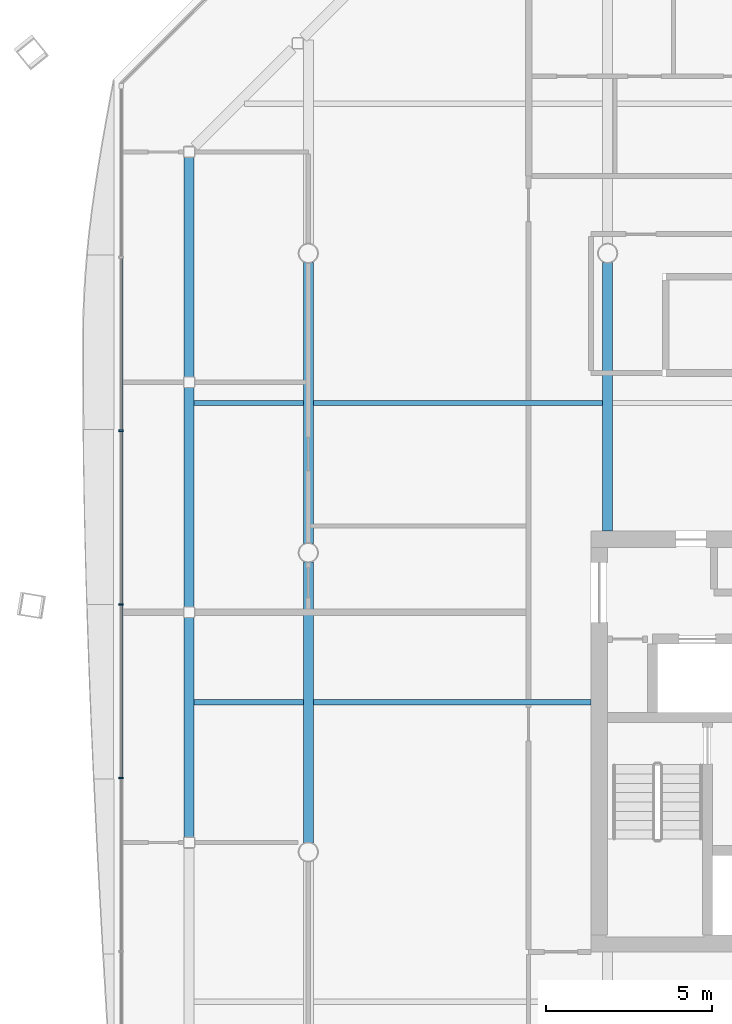
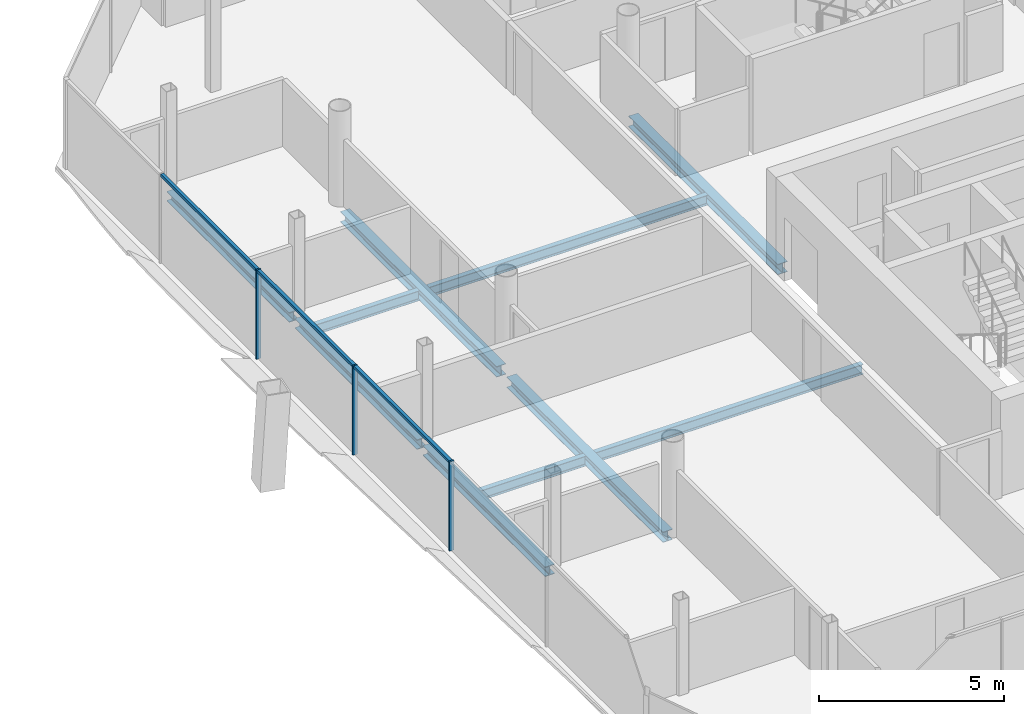
# One storey, part 6 of 20: 10 beams, 6 members, 1 element without a shape of its own.
"""IFC4 building model written with IfcOpenShell, lengths in metres."""

from ifc_helpers import new_model, si_unit, direction, frame, origin, origin_2d, place, context, subcontext, project, spatial, rectangle, i_section, extrude, material, material_profile, profile_set, type_object, element, aggregate, save


model = new_model("IFC4")

# Units and contexts
model_context = context("Model", 3, precision=1e-05, world=origin(), true_north=direction((0.0, 1.0)))
body_context = subcontext(model_context, "Body", "Model", "MODEL_VIEW")
ifc_project = project(units=[si_unit("LENGTHUNIT", "METRE"), si_unit("AREAUNIT", "SQUARE_METRE"), si_unit("VOLUMEUNIT", "CUBIC_METRE"), si_unit("PLANEANGLEUNIT", "RADIAN"), si_unit("MASSUNIT", "GRAM", prefix="KILO")], contexts=[model_context])

# Site, building, storey
site_placement = place(None, origin())
site = spatial("IfcSite", under=ifc_project, at=site_placement, CompositionType="ELEMENT")
building_placement = place(site_placement, origin())
building = spatial("IfcBuilding", under=site, at=building_placement, Name="Tskaro Facet Tower", CompositionType="ELEMENT")
storey_placement = place(building_placement, frame((0.0, 0.0, 187.949951171875)))
storey = spatial("IfcBuildingStorey", under=building, at=storey_placement, Name="L47", CompositionType="ELEMENT", Elevation=187.949951171875)

# Curtain wall, members
ifc_material_1 = material(Name="Bronze anodised aluminium 6063-T6", Category="aluminium")
curtain_wall_type = type_object("IfcCurtainWallType", Name="Bronze residence curtain wall (FW3)", PredefinedType="NOTDEFINED", material=ifc_material_1)
curtain_wall_placement = place(storey_placement, origin())
curtain_wall = element("IfcCurtainWall", 1, at=curtain_wall_placement, inside=storey, type_object=curtain_wall_type, Name="FW3 west facet L47", PredefinedType="NOTDEFINED")
ifc_material_profile_1 = material_profile(ifc_material_1, rectangle(XDim=0.050048828125, YDim=0.139892578125, at=origin_2d()), Name="Mullion 50x140")
ifc_profile_set_1 = profile_set([ifc_material_profile_1], Name="Bronze anodised aluminium 6063-T6")
member_type_1 = type_object("IfcMemberType", Name="FW3 bronze mullion 50x140", PredefinedType="MULLION", material=ifc_profile_set_1)
member_1_placement = place(storey_placement, frame((-23.6279296875, 3.66357421875, 0.0), z_axis=(0.0, 0.0, 1.0), x_axis=(0.0, -1.0, 0.0)))
member_1 = element("IfcMember", 2, at=member_1_placement, type_object=member_type_1, Name="FW3 west mullion 2", PredefinedType="MULLION", context=body_context, shape_type="SweptSolid", body=[
    extrude(rectangle(XDim=0.050048828125, YDim=0.139892578125, at=origin_2d()), origin(), (0.0, 0.0, 1.0), 2.949951171875),
])
member_2_placement = place(storey_placement, frame((-23.6279296875, -1.554443359375, 0.0), z_axis=(0.0, 0.0, 1.0), x_axis=(0.0, -1.0, 0.0)))
member_2 = element("IfcMember", 3, at=member_2_placement, type_object=member_type_1, Name="FW3 west mullion 3", PredefinedType="MULLION", context=body_context, shape_type="SweptSolid", body=[
    extrude(rectangle(XDim=0.050048828125, YDim=0.139892578125, at=origin_2d()), origin(), (0.0, 0.0, 1.0), 2.949951171875),
])
member_3_placement = place(storey_placement, frame((-23.6279296875, -6.772705078125, 0.0), z_axis=(0.0, 0.0, 1.0), x_axis=(0.0, -1.0, 0.0)))
member_3 = element("IfcMember", 4, at=member_3_placement, type_object=member_type_1, Name="FW3 west mullion 4", PredefinedType="MULLION", context=body_context, shape_type="SweptSolid", body=[
    extrude(rectangle(XDim=0.050048828125, YDim=0.139892578125, at=origin_2d()), origin(), (0.0, 0.0, 1.0), 2.949951171875),
])
ifc_material_profile_2 = material_profile(ifc_material_1, rectangle(XDim=0.10009765625, YDim=0.090087890625, at=origin_2d()), Name="Transom 100x90")
ifc_profile_set_2 = profile_set([ifc_material_profile_2], Name="Bronze anodised aluminium 6063-T6")
member_type_2 = type_object("IfcMemberType", Name="FW3 bronze transom 100x90", PredefinedType="USERDEFINED", material=ifc_profile_set_2)
member_4_placement = place(storey_placement, frame((-23.6279296875, 8.85693359375, 2.905029296875), z_axis=(0.0, -1.0, 0.0), x_axis=(1.0, 0.0, 0.0)))
member_4 = element("IfcMember", 5, at=member_4_placement, type_object=member_type_2, Name="FW3 west transom 2.1", ObjectType="TRANSOM", PredefinedType="USERDEFINED", context=body_context, shape_type="SweptSolid", body=[
    extrude(rectangle(XDim=0.10009765625, YDim=0.090087890625, at=origin_2d()), origin(), (0.0, 0.0, 1.0), 5.168212890625),
])
member_5_placement = place(storey_placement, frame((-23.6279296875, 3.638671875, 2.905029296875), z_axis=(0.0, -1.0, 0.0), x_axis=(1.0, 0.0, 0.0)))
member_5 = element("IfcMember", 6, at=member_5_placement, type_object=member_type_2, Name="FW3 west transom 3.1", ObjectType="TRANSOM", PredefinedType="USERDEFINED", context=body_context, shape_type="SweptSolid", body=[
    extrude(rectangle(XDim=0.10009765625, YDim=0.090087890625, at=origin_2d()), origin(), (0.0, 0.0, 1.0), 5.168212890625),
])
member_6_placement = place(storey_placement, frame((-23.6279296875, -1.57958984375, 2.905029296875), z_axis=(0.0, -1.0, 0.0), x_axis=(1.0, 0.0, 0.0)))
member_6 = element("IfcMember", 7, at=member_6_placement, type_object=member_type_2, Name="FW3 west transom 4.1", ObjectType="TRANSOM", PredefinedType="USERDEFINED", context=body_context, shape_type="SweptSolid", body=[
    extrude(rectangle(XDim=0.10009765625, YDim=0.090087890625, at=origin_2d()), origin(), (0.0, 0.0, 1.0), 5.16796875),
])
aggregate(curtain_wall, [member_1, member_2, member_3, member_4, member_5, member_6])

# Beams
ifc_material_2 = material(Name="Steel S355J2", Category="steel")
ifc_material_profile_3 = material_profile(ifc_material_2, i_section(OverallWidth=0.300048828125, OverallDepth=0.320068359375, WebThickness=0.011474609375, FlangeThickness=0.0205078125, FilletRadius=0.027099609375, at=origin_2d()), Name="HE 320 B")
ifc_profile_set_3 = profile_set([ifc_material_profile_3], Name="Steel S355J2")
beam_type_1 = type_object("IfcBeamType", Name="HE 320 B ring beam", PredefinedType="BEAM", material=ifc_profile_set_3)
beam_1_placement = place(storey_placement, frame((-21.5830078125, 11.89111328125, -0.300048828125), z_axis=(0.0, -1.0, 0.0), x_axis=(1.0, 0.0, 0.0)))
element("IfcBeam", 8, at=beam_1_placement, inside=storey, type_object=beam_type_1, Name="HE 320 B EB17-4", PredefinedType="BEAM", context=body_context, shape_type="SweptSolid", body=[
    extrude(i_section(OverallWidth=0.300048828125, OverallDepth=0.320068359375, WebThickness=0.011474609375, FlangeThickness=0.0205078125, FilletRadius=0.027099609375, at=origin_2d()), origin(), (0.0, 0.0, 1.0), 6.610107421875),
])
beam_2_placement = place(storey_placement, frame((-21.5830078125, 4.970947265625, -0.300048828125), z_axis=(0.0, -1.0, 0.0), x_axis=(1.0, 0.0, 0.0)))
element("IfcBeam", 9, at=beam_2_placement, inside=storey, type_object=beam_type_1, Name="HE 320 B EB18-4", PredefinedType="BEAM", context=body_context, shape_type="SweptSolid", body=[
    extrude(i_section(OverallWidth=0.300048828125, OverallDepth=0.320068359375, WebThickness=0.011474609375, FlangeThickness=0.0205078125, FilletRadius=0.027099609375, at=origin_2d()), origin(), (0.0, 0.0, 1.0), 6.60888671875),
])
beam_3_placement = place(storey_placement, frame((-21.5830078125, -1.947998046875, -0.300048828125), z_axis=(0.0, -1.0, 0.0), x_axis=(1.0, 0.0, 0.0)))
element("IfcBeam", 10, at=beam_3_placement, inside=storey, type_object=beam_type_1, Name="HE 320 B EB19-4", PredefinedType="BEAM", context=body_context, shape_type="SweptSolid", body=[
    extrude(i_section(OverallWidth=0.300048828125, OverallDepth=0.320068359375, WebThickness=0.011474609375, FlangeThickness=0.0205078125, FilletRadius=0.027099609375, at=origin_2d()), origin(), (0.0, 0.0, 1.0), 6.610107421875),
])
ifc_material_profile_4 = material_profile(ifc_material_2, i_section(OverallWidth=0.300048828125, OverallDepth=0.35009765625, WebThickness=0.010009765625, FlangeThickness=0.017578125, FilletRadius=0.027099609375, at=origin_2d()), Name="HE 360 A")
ifc_profile_set_4 = profile_set([ifc_material_profile_4], Name="Steel S355J2")
beam_type_2 = type_object("IfcBeamType", Name="HE 360 A girder", PredefinedType="BEAM", material=ifc_profile_set_4)
for number, where, z_axis, x_axis, name in (
    (11, (-18.0, -8.72509765625, -0.31494140625), (0.0, 1.0, 0.0), (-1.0, 0.0, 0.0), "HE 360 A GB2-2-4"),
    (12, (-18.0, 0.27490234375, -0.31494140625), (0.0, 1.0, 0.0), (-1.0, 0.0, 0.0), "HE 360 A GB2-3-4"),
):
    element("IfcBeam", number, at=place(storey_placement, frame(where, z_axis=z_axis, x_axis=x_axis)), inside=storey, type_object=beam_type_2, Name=name, PredefinedType="BEAM", context=body_context, shape_type="SweptSolid", body=[
        extrude(i_section(OverallWidth=0.300048828125, OverallDepth=0.35009765625, WebThickness=0.010009765625, FlangeThickness=0.017578125, FilletRadius=0.027099609375, at=origin_2d()), origin(), (0.0, 0.0, 1.0), 8.4501953125),
    ])
beam_4_placement = place(storey_placement, frame((-9.0, 0.64990234375, -0.31494140625), z_axis=(0.0, 1.0, 0.0), x_axis=(-1.0, 0.0, 0.0)))
element("IfcBeam", 13, at=beam_4_placement, inside=storey, type_object=beam_type_2, Name="HE 360 A GB3-2-4", PredefinedType="BEAM", context=body_context, shape_type="SweptSolid", body=[
    extrude(i_section(OverallWidth=0.300048828125, OverallDepth=0.35009765625, WebThickness=0.010009765625, FlangeThickness=0.017578125, FilletRadius=0.027099609375, at=origin_2d()), origin(), (0.0, 0.0, 1.0), 8.0751953125),
])
ifc_material_profile_5 = material_profile(ifc_material_2, i_section(OverallWidth=0.159912109375, OverallDepth=0.330078125, WebThickness=0.007568359375, FlangeThickness=0.011474609375, FilletRadius=0.01806640625, at=origin_2d()), Name="IPE 330")
ifc_profile_set_5 = profile_set([ifc_material_profile_5], Name="Steel S355J2")
beam_type_3 = type_object("IfcBeamType", Name="IPE 330 secondary beam", PredefinedType="BEAM", material=ifc_profile_set_5)
beam_5_placement = place(storey_placement, frame((-21.43310546875, -4.5, -0.304931640625), z_axis=(1.0, 0.0, 0.0), x_axis=(0.0, 1.0, 0.0)))
element("IfcBeam", 14, at=beam_5_placement, inside=storey, type_object=beam_type_3, Name="IPE 330 SB3a-1-4", PredefinedType="BEAM", context=body_context, shape_type="SweptSolid", body=[
    extrude(i_section(OverallWidth=0.159912109375, OverallDepth=0.330078125, WebThickness=0.007568359375, FlangeThickness=0.011474609375, FilletRadius=0.01806640625, at=origin_2d()), origin(), (0.0, 0.0, 1.0), 3.283203125),
])
beam_6_placement = place(storey_placement, frame((-17.85009765625, -4.5, -0.304931640625), z_axis=(1.0, 0.0, 0.0), x_axis=(0.0, 1.0, 0.0)))
element("IfcBeam", 15, at=beam_6_placement, inside=storey, type_object=beam_type_3, Name="IPE 330 SB3a-2-4", PredefinedType="BEAM", context=body_context, shape_type="SweptSolid", body=[
    extrude(i_section(OverallWidth=0.159912109375, OverallDepth=0.330078125, WebThickness=0.007568359375, FlangeThickness=0.011474609375, FilletRadius=0.01806640625, at=origin_2d()), origin(), (0.0, 0.0, 1.0), 8.35009765625),
])
beam_7_placement = place(storey_placement, frame((-21.43310546875, 4.5, -0.304931640625), z_axis=(1.0, 0.0, 0.0), x_axis=(0.0, 1.0, 0.0)))
element("IfcBeam", 16, at=beam_7_placement, inside=storey, type_object=beam_type_3, Name="IPE 330 SB4a-1-4", PredefinedType="BEAM", context=body_context, shape_type="SweptSolid", body=[
    extrude(i_section(OverallWidth=0.159912109375, OverallDepth=0.330078125, WebThickness=0.007568359375, FlangeThickness=0.011474609375, FilletRadius=0.01806640625, at=origin_2d()), origin(), (0.0, 0.0, 1.0), 3.283203125),
])
beam_8_placement = place(storey_placement, frame((-17.85009765625, 4.5, -0.304931640625), z_axis=(1.0, 0.0, 0.0), x_axis=(0.0, 1.0, 0.0)))
element("IfcBeam", 17, at=beam_8_placement, inside=storey, type_object=beam_type_3, Name="IPE 330 SB4a-2-4", PredefinedType="BEAM", context=body_context, shape_type="SweptSolid", body=[
    extrude(i_section(OverallWidth=0.159912109375, OverallDepth=0.330078125, WebThickness=0.007568359375, FlangeThickness=0.011474609375, FilletRadius=0.01806640625, at=origin_2d()), origin(), (0.0, 0.0, 1.0), 8.7001953125),
])

save(model, "model.ifc")
